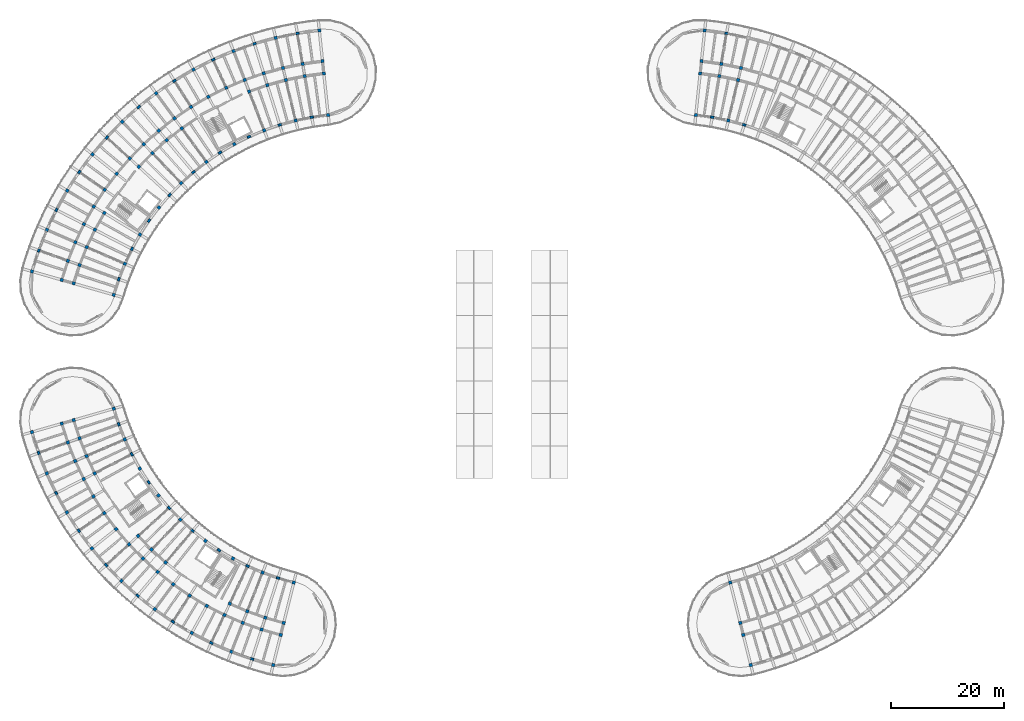
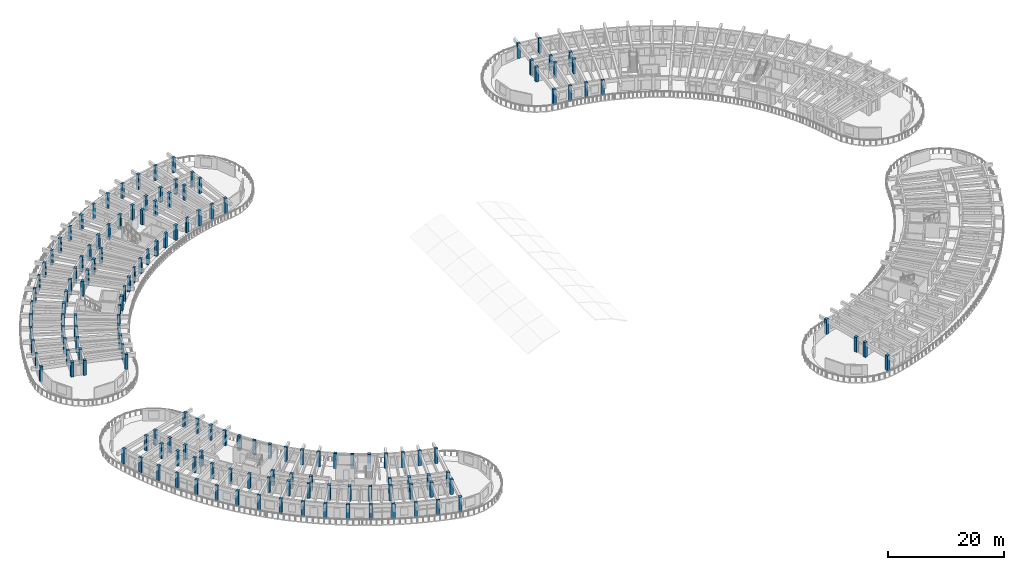
# One storey, part 1 of 96: 149 columns.
"""IFC4 building model written with IfcOpenShell, lengths in metres."""

from ifc_helpers import new_model, si_unit, direction, frame, origin, origin_2d, place, context, subcontext, project, spatial, rectangle, extrude, material, material_profile, profile_set, type_object, element, save


model = new_model("IFC4")

# Units and contexts
model_context = context("Model", 3, precision=1e-05, world=origin(), true_north=direction((0.0, 1.0)))
body_context = subcontext(model_context, "Body", "Model", "MODEL_VIEW")
ifc_project = project(units=[si_unit("LENGTHUNIT", "METRE"), si_unit("AREAUNIT", "SQUARE_METRE"), si_unit("VOLUMEUNIT", "CUBIC_METRE"), si_unit("PLANEANGLEUNIT", "RADIAN"), si_unit("MASSUNIT", "GRAM", prefix="KILO")], contexts=[model_context])

# Site, building, storey
site_placement = place(None, origin())
site = spatial("IfcSite", under=ifc_project, at=site_placement, CompositionType="ELEMENT")
building_placement = place(site_placement, origin())
building = spatial("IfcBuilding", under=site, at=building_placement, Name="Tanwirah Colonnade Gardens", CompositionType="ELEMENT")
storey_placement = place(building_placement, frame((0.0, 0.0, 12.199951171875)))
storey = spatial("IfcBuildingStorey", under=building, at=storey_placement, Name="L03", CompositionType="ELEMENT", Elevation=12.199951171875)

# Columns
ifc_material_1 = material(Name="Precast concrete C40/50", Category="concrete")
ifc_material_profile_1 = material_profile(ifc_material_1, rectangle(XDim=0.56005859375, YDim=0.56005859375, at=origin_2d()), Name="PC-COL 560x560")
ifc_profile_set_1 = profile_set([ifc_material_profile_1], Name="Precast concrete C40/50")
column_type_1 = type_object("IfcColumnType", Name="C-PC480", PredefinedType="COLUMN", material=ifc_profile_set_1)
for number, where, z_axis, x_axis, name in (
    (1, (22.27197265625, 52.247802734375, 0.0), (0.0, 0.0, 1.0), (-0.961261695938, -0.275637355817, 0.0), "Block C L03 Column 0-R0"),
    (2, (15.15869140625, 50.208251953125, 0.0), (0.0, 0.0, 1.0), (-0.961261695938, -0.275637355817, 0.0), "Block C L03 Column 0-R1"),
    (3, (13.043701171875, 49.601806640625, 0.0), (0.0, 0.0, 1.0), (-0.961261695938, -0.275637355817, 0.0), "Block C L03 Column 0-R2"),
    (4, (7.7568359375, 48.085693359375, 0.0), (0.0, 0.0, 1.0), (-0.961261695938, -0.275637355817, 0.0), "Block C L03 Column 0-R3"),
    (5, (16.199951171875, 46.97900390625, 0.0), (0.0, 0.0, 1.0), (-0.941176015256, -0.337916718003, 0.0), "Block C L03 Column 1-R1"),
    (6, (14.12939453125, 46.235595703125, 0.0), (0.0, 0.0, 1.0), (-0.941176015256, -0.337916718003, 0.0), "Block C L03 Column 1-R2"),
    (7, (24.236572265625, 46.775634765625, 0.0), (0.0, 0.0, 1.0), (-0.917060074385, -0.398749068925, 0.0), "Block C L03 Column 2-R0"),
    (8, (17.450439453125, 43.824951171875, 0.0), (0.0, 0.0, 1.0), (-0.917060074385, -0.398749068925, 0.0), "Block C L03 Column 2-R1"),
    (9, (15.432861328125, 42.947509765625, 0.0), (0.0, 0.0, 1.0), (-0.917060074385, -0.398749068925, 0.0), "Block C L03 Column 2-R2"),
    (10, (10.38916015625, 40.75439453125, 0.0), (0.0, 0.0, 1.0), (-0.917060074385, -0.398749068925, 0.0), "Block C L03 Column 2-R3"),
    (11, (18.904541015625, 40.75927734375, 0.0), (0.0, 0.0, 1.0), (-0.889017141486, -0.457873915117, 0.0), "Block C L03 Column 3-R1"),
    (12, (16.94873046875, 39.751953125, 0.0), (0.0, 0.0, 1.0), (-0.889017141486, -0.457873915117, 0.0), "Block C L03 Column 3-R2"),
    (13, (26.89892578125, 41.6064453125, 0.0), (0.0, 0.0, 1.0), (-0.857167300702, -0.51503807491, 0.0), "Block C L03 Column 4-R0"),
    (14, (18.670166015625, 36.662109375, 0.0), (0.0, 0.0, 1.0), (-0.857167300702, -0.51503807491, 0.0), "Block C L03 Column 4-R2"),
    (15, (13.95556640625, 33.82958984375, 0.0), (0.0, 0.0, 1.0), (-0.857167300702, -0.51503807491, 0.0), "Block C L03 Column 4-R3"),
    (16, (20.590087890625, 33.691650390625, 0.0), (0.0, 0.0, 1.0), (-0.821646937942, -0.569996762596, 0.0), "Block C L03 Column 5-R2"),
    (17, (30.213134765625, 36.829345703125, 0.0), (0.0, 0.0, 1.0), (-0.782608156852, -0.622514636638, 0.0), "Block C L03 Column 6-R0"),
    (18, (22.699951171875, 30.85302734375, 0.0), (0.0, 0.0, 1.0), (-0.782608156852, -0.622514636638, 0.0), "Block C L03 Column 6-R2"),
    (19, (18.395751953125, 27.42919921875, 0.0), (0.0, 0.0, 1.0), (-0.782608156852, -0.622514636638, 0.0), "Block C L03 Column 6-R3"),
    (20, (26.61962890625, 29.6376953125, 0.0), (0.0, 0.0, 1.0), (-0.740218127487, -0.672366807435, 0.0), "Block C L03 Column 7-R1"),
    (21, (24.9912109375, 28.15869140625, 0.0), (0.0, 0.0, 1.0), (-0.740218127487, -0.672366807435, 0.0), "Block C L03 Column 7-R2"),
    (22, (34.122314453125, 32.525390625, 0.0), (0.0, 0.0, 1.0), (-0.694658370459, -0.719339800339, 0.0), "Block C L03 Column 8-R0"),
    (23, (28.98193359375, 27.2021484375, 0.0), (0.0, 0.0, 1.0), (-0.694658370459, -0.719339800339, 0.0), "Block C L03 Column 8-R1"),
    (24, (27.45361328125, 25.61962890625, 0.0), (0.0, 0.0, 1.0), (-0.694658370459, -0.719339800339, 0.0), "Block C L03 Column 8-R2"),
    (25, (23.633056640625, 21.663330078125, 0.0), (0.0, 0.0, 1.0), (-0.694658370459, -0.719339800339, 0.0), "Block C L03 Column 8-R3"),
    (26, (31.49853515625, 24.926513671875, 0.0), (0.0, 0.0, 1.0), (-0.646123979643, -0.763232469783, 0.0), "Block C L03 Column 9-R1"),
    (27, (30.076904296875, 23.247314453125, 0.0), (0.0, 0.0, 1.0), (-0.646123979643, -0.763232469783, 0.0), "Block C L03 Column 9-R2"),
    (28, (38.56005859375, 28.7685546875, 0.0), (0.0, 0.0, 1.0), (-0.594822786751, -0.803856860617, 0.0), "Block C L03 Column 10-R0"),
    (29, (32.849853515625, 21.051513671875, 0.0), (0.0, 0.0, 1.0), (-0.594822786751, -0.803856860617, 0.0), "Block C L03 Column 10-R2"),
    (30, (29.578369140625, 16.63037109375, 0.0), (0.0, 0.0, 1.0), (-0.594822786751, -0.803856860617, 0.0), "Block C L03 Column 10-R3"),
    (31, (35.76025390625, 19.041748046875, 0.0), (0.0, 0.0, 1.0), (-0.540974471368, -0.841039012964, 0.0), "Block C L03 Column 11-R2"),
    (32, (43.4501953125, 25.623046875, 0.0), (0.0, 0.0, 1.0), (-0.484809620246, -0.874619707139, 0.0), "Block C L03 Column 12-R0"),
    (33, (38.796142578125, 17.226806640625, 0.0), (0.0, 0.0, 1.0), (-0.484809620246, -0.874619707139, 0.0), "Block C L03 Column 12-R2"),
    (34, (36.129638671875, 12.41650390625, 0.0), (0.0, 0.0, 1.0), (-0.484809620246, -0.874619707139, 0.0), "Block C L03 Column 12-R3"),
    (35, (42.88232421875, 17.60400390625, 0.0), (0.0, 0.0, 1.0), (-0.426568739901, -0.904455145454, 0.0), "Block C L03 Column 13-R1"),
    (36, (41.94384765625, 15.6142578125, 0.0), (0.0, 0.0, 1.0), (-0.426568739901, -0.904455145454, 0.0), "Block C L03 Column 13-R2"),
    (37, (48.708984375, 23.142822265625, 0.0), (0.0, 0.0, 1.0), (-0.366501226724, -0.930417567982, 0.0), "Block C L03 Column 14-R0"),
    (38, (45.996826171875, 16.2578125, 0.0), (0.0, 0.0, 1.0), (-0.366501226724, -0.930417567982, 0.0), "Block C L03 Column 14-R1"),
    (39, (45.190673828125, 14.2109375, 0.0), (0.0, 0.0, 1.0), (-0.366501226724, -0.930417567982, 0.0), "Block C L03 Column 14-R2"),
    (40, (43.1748046875, 9.09375, 0.0), (0.0, 0.0, 1.0), (-0.366501226724, -0.930417567982, 0.0), "Block C L03 Column 14-R3"),
    (41, (49.19287109375, 15.1181640625, 0.0), (0.0, 0.0, 1.0), (-0.304864299028, -0.952395799643, 0.0), "Block C L03 Column 15-R1"),
    (42, (48.52197265625, 13.02294921875, 0.0), (0.0, 0.0, 1.0), (-0.304864299028, -0.952395799643, 0.0), "Block C L03 Column 15-R2"),
    (43, (54.24658203125, 21.370361328125, 0.0), (0.0, 0.0, 1.0), (-0.2419218956, -0.970295726276, 0.0), "Block C L03 Column 16-R0"),
    (44, (52.456298828125, 14.190185546875, 0.0), (0.0, 0.0, 1.0), (-0.2419218956, -0.970295726276, 0.0), "Block C L03 Column 16-R1"),
    (45, (51.924072265625, 12.055419921875, 0.0), (0.0, 0.0, 1.0), (-0.2419218956, -0.970295726276, 0.0), "Block C L03 Column 16-R2"),
    (46, (50.593505859375, 6.718994140625, 0.0), (0.0, 0.0, 1.0), (-0.2419218956, -0.970295726276, 0.0), "Block C L03 Column 16-R3"),
    (47, (131.75341796875, 21.370361328125, 0.0), (0.0, 0.0, 1.0), (0.2419218956, -0.970295726276, 0.0), "Block D L03 Column 0-R0"),
    (48, (133.543701171875, 14.190185546875, 0.0), (0.0, 0.0, 1.0), (0.2419218956, -0.970295726276, 0.0), "Block D L03 Column 0-R1"),
    (49, (134.075927734375, 12.055419921875, 0.0), (0.0, 0.0, 1.0), (0.2419218956, -0.970295726276, 0.0), "Block D L03 Column 0-R2"),
    (50, (135.406494140625, 6.718994140625, 0.0), (0.0, 0.0, 1.0), (0.2419218956, -0.970295726276, 0.0), "Block D L03 Column 0-R3"),
):
    element("IfcColumn", number, at=place(storey_placement, frame(where, z_axis=z_axis, x_axis=x_axis)), inside=storey, type_object=column_type_1, Name=name, PredefinedType="COLUMN", context=body_context, shape_type="SweptSolid", body=[
        extrude(rectangle(XDim=0.56005859375, YDim=0.56005859375, at=origin_2d()), origin(), (0.0, 0.0, 1.0), 3.10498046875),
    ])
ifc_material_2 = material(Name="Precast concrete C45/55", Category="concrete")
ifc_material_profile_2 = material_profile(ifc_material_2, rectangle(XDim=0.550048828125, YDim=0.550048828125, at=origin_2d()), Name="PC-COL 550x550")
ifc_profile_set_2 = profile_set([ifc_material_profile_2], Name="Precast concrete C45/55")
column_type_2 = type_object("IfcColumnType", Name="C-PC550", PredefinedType="COLUMN", material=ifc_profile_set_2)
for number, where, z_axis, x_axis, name in (
    (51, (60.353759765625, 104.406494140625, 0.0), (0.0, 0.0, 1.0), (-0.104528463268, 0.994521895368, 0.0), "Block A L03 Column 0-R0"),
    (52, (59.580078125, 111.765869140625, 0.0), (0.0, 0.0, 1.0), (-0.104528463268, 0.994521895368, 0.0), "Block A L03 Column 0-R1"),
    (53, (59.350341796875, 113.953857421875, 0.0), (0.0, 0.0, 1.0), (-0.104528463268, 0.994521895368, 0.0), "Block A L03 Column 0-R2"),
    (54, (58.775390625, 119.423828125, 0.0), (0.0, 0.0, 1.0), (-0.104528463268, 0.994521895368, 0.0), "Block A L03 Column 0-R3"),
    (55, (56.1943359375, 111.296875, 0.0), (0.0, 0.0, 1.0), (-0.169827298811, 0.985473839622, 0.0), "Block A L03 Column 1-R1"),
    (56, (55.82080078125, 113.46484375, 0.0), (0.0, 0.0, 1.0), (-0.169827298811, 0.985473839622, 0.0), "Block A L03 Column 1-R2"),
    (57, (54.58154296875, 103.411865234375, 0.0), (0.0, 0.0, 1.0), (-0.23438809799, 0.972143106503, 0.0), "Block A L03 Column 2-R0"),
    (58, (52.846923828125, 110.605712890625, 0.0), (0.0, 0.0, 1.0), (-0.23438809799, 0.972143106503, 0.0), "Block A L03 Column 2-R1"),
    (59, (52.331298828125, 112.744384765625, 0.0), (0.0, 0.0, 1.0), (-0.23438809799, 0.972143106503, 0.0), "Block A L03 Column 2-R2"),
    (60, (51.042236328125, 118.091064453125, 0.0), (0.0, 0.0, 1.0), (-0.23438809799, 0.972143106503, 0.0), "Block A L03 Column 2-R3"),
    (61, (49.55224609375, 109.6953125, 0.0), (0.0, 0.0, 1.0), (-0.297930292146, 0.954587628781, 0.0), "Block A L03 Column 3-R1"),
    (62, (48.89697265625, 111.79541015625, 0.0), (0.0, 0.0, 1.0), (-0.297930292146, 0.954587628781, 0.0), "Block A L03 Column 3-R2"),
    (63, (48.989990234375, 101.666748046875, 0.0), (0.0, 0.0, 1.0), (-0.360177739278, 0.932883699144, 0.0), "Block A L03 Column 4-R0"),
    (64, (46.32470703125, 108.570068359375, 0.0), (0.0, 0.0, 1.0), (-0.360177739278, 0.932883699144, 0.0), "Block A L03 Column 4-R1"),
    (65, (45.532470703125, 110.622314453125, 0.0), (0.0, 0.0, 1.0), (-0.360177739278, 0.932883699144, 0.0), "Block A L03 Column 4-R2"),
    (66, (43.551513671875, 115.753173828125, 0.0), (0.0, 0.0, 1.0), (-0.360177739278, 0.932883699144, 0.0), "Block A L03 Column 4-R3"),
    (67, (42.25244140625, 109.230224609375, 0.0), (0.0, 0.0, 1.0), (-0.420859924104, 0.907125638643, 0.0), "Block A L03 Column 5-R2"),
    (68, (43.6767578125, 99.20166015625, 0.0), (0.0, 0.0, 1.0), (-0.479713133669, 0.877425386791, 0.0), "Block A L03 Column 6-R0"),
    (69, (39.071533203125, 107.624755859375, 0.0), (0.0, 0.0, 1.0), (-0.479713133669, 0.877425386791, 0.0), "Block A L03 Column 6-R2"),
    (70, (36.43310546875, 112.45068359375, 0.0), (0.0, 0.0, 1.0), (-0.479713133669, 0.877425386791, 0.0), "Block A L03 Column 6-R3"),
    (71, (36.003173828125, 105.8134765625, 0.0), (0.0, 0.0, 1.0), (-0.536481603385, 0.843912015099, 0.0), "Block A L03 Column 7-R2"),
    (72, (38.733642578125, 96.05908203125, 0.0), (0.0, 0.0, 1.0), (-0.590918628541, 0.806731166153, 0.0), "Block A L03 Column 8-R0"),
    (73, (34.36083984375, 102.029052734375, 0.0), (0.0, 0.0, 1.0), (-0.590918628541, 0.806731166153, 0.0), "Block A L03 Column 8-R1"),
    (74, (33.060791015625, 103.8037109375, 0.0), (0.0, 0.0, 1.0), (-0.590918628541, 0.806731166153, 0.0), "Block A L03 Column 8-R2"),
    (75, (29.810791015625, 108.24072265625, 0.0), (0.0, 0.0, 1.0), (-0.590918628541, 0.806731166153, 0.0), "Block A L03 Column 8-R3"),
    (76, (31.67138671875, 99.91943359375, 0.0), (0.0, 0.0, 1.0), (-0.642787636427, 0.766044420681, 0.0), "Block A L03 Column 9-R1"),
    (77, (30.25732421875, 101.604736328125, 0.0), (0.0, 0.0, 1.0), (-0.642787636427, 0.766044420681, 0.0), "Block A L03 Column 9-R2"),
    (78, (34.24658203125, 92.294189453125, 0.0), (0.0, 0.0, 1.0), (-0.691863214436, 0.722028595355, 0.0), "Block A L03 Column 10-R0"),
    (79, (29.126953125, 97.63720703125, 0.0), (0.0, 0.0, 1.0), (-0.691863214436, 0.722028595355, 0.0), "Block A L03 Column 10-R1"),
    (80, (27.604736328125, 99.2255859375, 0.0), (0.0, 0.0, 1.0), (-0.691863214436, 0.722028595355, 0.0), "Block A L03 Column 10-R2"),
    (81, (23.799560546875, 103.19677734375, 0.0), (0.0, 0.0, 1.0), (-0.691863214436, 0.722028595355, 0.0), "Block A L03 Column 10-R3"),
    (82, (26.73828125, 95.1923828125, 0.0), (0.0, 0.0, 1.0), (-0.737932089665, 0.674874974378, 0.0), "Block A L03 Column 11-R1"),
    (83, (25.11474609375, 96.677001953125, 0.0), (0.0, 0.0, 1.0), (-0.737932089665, 0.674874974378, 0.0), "Block A L03 Column 11-R2"),
    (84, (30.293701171875, 87.971923828125, 0.0), (0.0, 0.0, 1.0), (-0.780794055756, 0.624788478204, 0.0), "Block A L03 Column 12-R0"),
    (85, (22.798095703125, 93.9697265625, 0.0), (0.0, 0.0, 1.0), (-0.780794055756, 0.624788478204, 0.0), "Block A L03 Column 12-R2"),
    (86, (18.503662109375, 97.40625, 0.0), (0.0, 0.0, 1.0), (-0.780794055756, 0.624788478204, 0.0), "Block A L03 Column 12-R3"),
    (87, (20.664794921875, 91.115966796875, 0.0), (0.0, 0.0, 1.0), (-0.82026284295, 0.57198677299, 0.0), "Block A L03 Column 13-R2"),
    (88, (26.943359375, 83.167236328125, 0.0), (0.0, 0.0, 1.0), (-0.856166927587, 0.516699324663, 0.0), "Block A L03 Column 14-R0"),
    (89, (20.607666015625, 86.990966796875, 0.0), (0.0, 0.0, 1.0), (-0.856166927587, 0.516699324663, 0.0), "Block A L03 Column 14-R1"),
    (90, (18.72412109375, 88.127685546875, 0.0), (0.0, 0.0, 1.0), (-0.856166927587, 0.516699324663, 0.0), "Block A L03 Column 14-R2"),
    (91, (14.015380859375, 90.969482421875, 0.0), (0.0, 0.0, 1.0), (-0.856166927587, 0.516699324663, 0.0), "Block A L03 Column 14-R3"),
    (92, (18.93896484375, 84.0078125, 0.0), (0.0, 0.0, 1.0), (-0.888350277506, 0.459166401705, 0.0), "Block A L03 Column 15-R1"),
    (93, (16.984619140625, 85.017822265625, 0.0), (0.0, 0.0, 1.0), (-0.888350277506, 0.459166401705, 0.0), "Block A L03 Column 15-R2"),
    (94, (24.25390625, 77.9638671875, 0.0), (0.0, 0.0, 1.0), (-0.916673030138, 0.399638030994, 0.0), "Block A L03 Column 16-R0"),
    (95, (17.470458984375, 80.921142578125, 0.0), (0.0, 0.0, 1.0), (-0.916673030138, 0.399638030994, 0.0), "Block A L03 Column 16-R1"),
    (96, (15.453857421875, 81.800537109375, 0.0), (0.0, 0.0, 1.0), (-0.916673030138, 0.399638030994, 0.0), "Block A L03 Column 16-R2"),
    (97, (10.412109375, 83.99853515625, 0.0), (0.0, 0.0, 1.0), (-0.916673030138, 0.399638030994, 0.0), "Block A L03 Column 16-R3"),
    (98, (16.20849609375, 77.74462890625, 0.0), (0.0, 0.0, 1.0), (-0.941012100316, 0.338372911236, 0.0), "Block A L03 Column 17-R1"),
    (99, (14.13818359375, 78.489013671875, 0.0), (0.0, 0.0, 1.0), (-0.941012100316, 0.338372911236, 0.0), "Block A L03 Column 17-R2"),
    (100, (22.27197265625, 72.4521484375, 0.0), (0.0, 0.0, 1.0), (-0.961261715181, 0.275637288708, 0.0), "Block A L03 Column 18-R0"),
    (101, (15.15869140625, 74.49169921875, 0.0), (0.0, 0.0, 1.0), (-0.961261715181, 0.275637288708, 0.0), "Block A L03 Column 18-R1"),
    (102, (13.043701171875, 75.09814453125, 0.0), (0.0, 0.0, 1.0), (-0.961261715181, 0.275637288708, 0.0), "Block A L03 Column 18-R2"),
    (103, (7.7568359375, 76.6142578125, 0.0), (0.0, 0.0, 1.0), (-0.961261715181, 0.275637288708, 0.0), "Block A L03 Column 18-R3"),
    (104, (131.41845703125, 103.411865234375, 0.0), (0.0, 0.0, 1.0), (0.234388030122, 0.972143122866, 0.0), "Block B L03 Column 16-R0"),
    (105, (133.153076171875, 110.605712890625, 0.0), (0.0, 0.0, 1.0), (0.234388030122, 0.972143122866, 0.0), "Block B L03 Column 16-R1"),
    (106, (133.668701171875, 112.744384765625, 0.0), (0.0, 0.0, 1.0), (0.234388030122, 0.972143122866, 0.0), "Block B L03 Column 16-R2"),
    (107, (129.8056640625, 111.296875, 0.0), (0.0, 0.0, 1.0), (0.169827230012, 0.985473851478, 0.0), "Block B L03 Column 17-R1"),
    (108, (130.17919921875, 113.46484375, 0.0), (0.0, 0.0, 1.0), (0.169827230012, 0.985473851478, 0.0), "Block B L03 Column 17-R2"),
    (109, (125.646240234375, 104.406494140625, 0.0), (0.0, 0.0, 1.0), (0.104528393837, 0.994521902666, 0.0), "Block B L03 Column 18-R0"),
    (110, (126.419677734375, 111.765869140625, 0.0), (0.0, 0.0, 1.0), (0.104528393837, 0.994521902666, 0.0), "Block B L03 Column 18-R1"),
    (111, (126.649658203125, 113.953857421875, 0.0), (0.0, 0.0, 1.0), (0.104528393837, 0.994521902666, 0.0), "Block B L03 Column 18-R2"),
    (112, (127.224609375, 119.423828125, 0.0), (0.0, 0.0, 1.0), (0.104528393837, 0.994521902666, 0.0), "Block B L03 Column 18-R3"),
):
    element("IfcColumn", number, at=place(storey_placement, frame(where, z_axis=z_axis, x_axis=x_axis)), inside=storey, type_object=column_type_2, Name=name, PredefinedType="COLUMN", context=body_context, shape_type="SweptSolid", body=[
        extrude(rectangle(XDim=0.550048828125, YDim=0.550048828125, at=origin_2d()), origin(), (0.0, 0.0, 1.0), 3.10498046875),
    ])
ifc_material_profile_3 = material_profile(ifc_material_1, rectangle(XDim=0.3798828125, YDim=0.6201171875, at=origin_2d()), Name="PC-PIL 380x620")
ifc_profile_set_3 = profile_set([ifc_material_profile_3], Name="Precast concrete C40/50")
column_type_3 = type_object("IfcColumnType", Name="PIL-380", PredefinedType="PILASTER", material=ifc_profile_set_3)
for number, where, z_axis, x_axis, name in (
    (113, (57.451171875, 104.00439453125, 0.0), (0.0, 0.0, 1.0), (-0.169827298811, 0.985473839622, 0.0), "Block A L03 Column 1-R0"),
    (114, (54.88671875, 118.885009765625, 0.0), (0.0, 0.0, 1.0), (-0.169827298811, 0.985473839622, 0.0), "Block A L03 Column 1-R3"),
    (115, (51.757080078125, 102.63134765625, 0.0), (0.0, 0.0, 1.0), (-0.297930292146, 0.954587628781, 0.0), "Block A L03 Column 3-R0"),
    (116, (47.25830078125, 117.045654296875, 0.0), (0.0, 0.0, 1.0), (-0.297930292146, 0.954587628781, 0.0), "Block A L03 Column 3-R3"),
    (117, (46.292724609375, 100.521728515625, 0.0), (0.0, 0.0, 1.0), (-0.420859924104, 0.907125638643, 0.0), "Block A L03 Column 5-R0"),
    (118, (39.937744140625, 114.21923828125, 0.0), (0.0, 0.0, 1.0), (-0.420859924104, 0.907125638643, 0.0), "Block A L03 Column 5-R3"),
    (119, (41.1533203125, 97.7119140625, 0.0), (0.0, 0.0, 1.0), (-0.536481603385, 0.843912015099, 0.0), "Block A L03 Column 7-R0"),
    (120, (33.052490234375, 110.455078125, 0.0), (0.0, 0.0, 1.0), (-0.536481603385, 0.843912015099, 0.0), "Block A L03 Column 7-R3"),
    (121, (36.427978515625, 94.250732421875, 0.0), (0.0, 0.0, 1.0), (-0.642787636427, 0.766044420681, 0.0), "Block A L03 Column 9-R0"),
    (122, (26.721923828125, 105.81787109375, 0.0), (0.0, 0.0, 1.0), (-0.642787636427, 0.766044420681, 0.0), "Block A L03 Column 9-R3"),
    (123, (32.198974609375, 90.1982421875, 0.0), (0.0, 0.0, 1.0), (-0.737932089665, 0.674874974378, 0.0), "Block A L03 Column 11-R0"),
    (124, (21.05615234375, 100.388916015625, 0.0), (0.0, 0.0, 1.0), (-0.737932089665, 0.674874974378, 0.0), "Block A L03 Column 11-R3"),
    (125, (28.539306640625, 85.624755859375, 0.0), (0.0, 0.0, 1.0), (-0.82026284295, 0.57198677299, 0.0), "Block A L03 Column 13-R0"),
    (126, (16.1533203125, 94.26171875, 0.0), (0.0, 0.0, 1.0), (-0.82026284295, 0.57198677299, 0.0), "Block A L03 Column 13-R3"),
    (127, (25.512939453125, 80.60986328125, 0.0), (0.0, 0.0, 1.0), (-0.888350277506, 0.459166401705, 0.0), "Block A L03 Column 15-R0"),
    (128, (12.0986328125, 87.54345703125, 0.0), (0.0, 0.0, 1.0), (-0.888350277506, 0.459166401705, 0.0), "Block A L03 Column 15-R3"),
    (129, (23.172119140625, 75.24072265625, 0.0), (0.0, 0.0, 1.0), (-0.941012100316, 0.338372911236, 0.0), "Block A L03 Column 17-R0"),
    (130, (8.962646484375, 80.35009765625, 0.0), (0.0, 0.0, 1.0), (-0.941012100316, 0.338372911236, 0.0), "Block A L03 Column 17-R3"),
    (131, (134.242919921875, 102.63134765625, 0.0), (0.0, 0.0, 1.0), (0.297930225503, 0.954587649581, 0.0), "Block B L03 Column 15-R0"),
    (132, (128.548828125, 104.00439453125, 0.0), (0.0, 0.0, 1.0), (0.169827230012, 0.985473851478, 0.0), "Block B L03 Column 17-R0"),
    (133, (131.11328125, 118.885009765625, 0.0), (0.0, 0.0, 1.0), (0.169827230012, 0.985473851478, 0.0), "Block B L03 Column 17-R3"),
    (134, (23.164794921875, 49.4794921875, 0.0), (0.0, 0.0, 1.0), (-0.941176015256, -0.337916718003, 0.0), "Block C L03 Column 1-R0"),
    (135, (8.952880859375, 44.376953125, 0.0), (0.0, 0.0, 1.0), (-0.941176015256, -0.337916718003, 0.0), "Block C L03 Column 1-R3"),
    (136, (25.483154296875, 44.1474609375, 0.0), (0.0, 0.0, 1.0), (-0.889017141486, -0.457873915117, 0.0), "Block C L03 Column 3-R0"),
    (137, (12.05908203125, 37.233642578125, 0.0), (0.0, 0.0, 1.0), (-0.889017141486, -0.457873915117, 0.0), "Block C L03 Column 3-R3"),
    (138, (28.477783203125, 39.16357421875, 0.0), (0.0, 0.0, 1.0), (-0.821646937942, -0.569996762596, 0.0), "Block C L03 Column 5-R0"),
    (139, (16.071044921875, 30.556640625, 0.0), (0.0, 0.0, 1.0), (-0.821646937942, -0.569996762596, 0.0), "Block C L03 Column 5-R3"),
    (140, (32.097412109375, 34.61328125, 0.0), (0.0, 0.0, 1.0), (-0.740218127487, -0.672366807435, 0.0), "Block C L03 Column 7-R0"),
    (141, (20.919921875, 24.46044921875, 0.0), (0.0, 0.0, 1.0), (-0.740218127487, -0.672366807435, 0.0), "Block C L03 Column 7-R3"),
    (142, (36.27978515625, 30.57421875, 0.0), (0.0, 0.0, 1.0), (-0.646123979643, -0.763232469783, 0.0), "Block C L03 Column 9-R0"),
    (143, (26.5234375, 19.049560546875, 0.0), (0.0, 0.0, 1.0), (-0.646123979643, -0.763232469783, 0.0), "Block C L03 Column 9-R3"),
    (144, (40.95361328125, 27.11572265625, 0.0), (0.0, 0.0, 1.0), (-0.540974471368, -0.841039012964, 0.0), "Block C L03 Column 11-R0"),
    (145, (32.784912109375, 14.416015625, 0.0), (0.0, 0.0, 1.0), (-0.540974471368, -0.841039012964, 0.0), "Block C L03 Column 11-R3"),
    (146, (46.0390625, 24.296875, 0.0), (0.0, 0.0, 1.0), (-0.426568739901, -0.904455145454, 0.0), "Block C L03 Column 13-R0"),
    (147, (39.597900390625, 10.6396484375, 0.0), (0.0, 0.0, 1.0), (-0.426568739901, -0.904455145454, 0.0), "Block C L03 Column 13-R3"),
    (148, (51.44873046875, 22.166015625, 0.0), (0.0, 0.0, 1.0), (-0.304864299028, -0.952395799643, 0.0), "Block C L03 Column 15-R0"),
    (149, (46.84521484375, 7.784912109375, 0.0), (0.0, 0.0, 1.0), (-0.304864299028, -0.952395799643, 0.0), "Block C L03 Column 15-R3"),
):
    element("IfcColumn", number, at=place(storey_placement, frame(where, z_axis=z_axis, x_axis=x_axis)), inside=storey, type_object=column_type_3, Name=name, PredefinedType="PILASTER", context=body_context, shape_type="SweptSolid", body=[
        extrude(rectangle(XDim=0.3798828125, YDim=0.6201171875, at=origin_2d()), origin(), (0.0, 0.0, 1.0), 3.10498046875),
    ])

save(model, "model.ifc")
